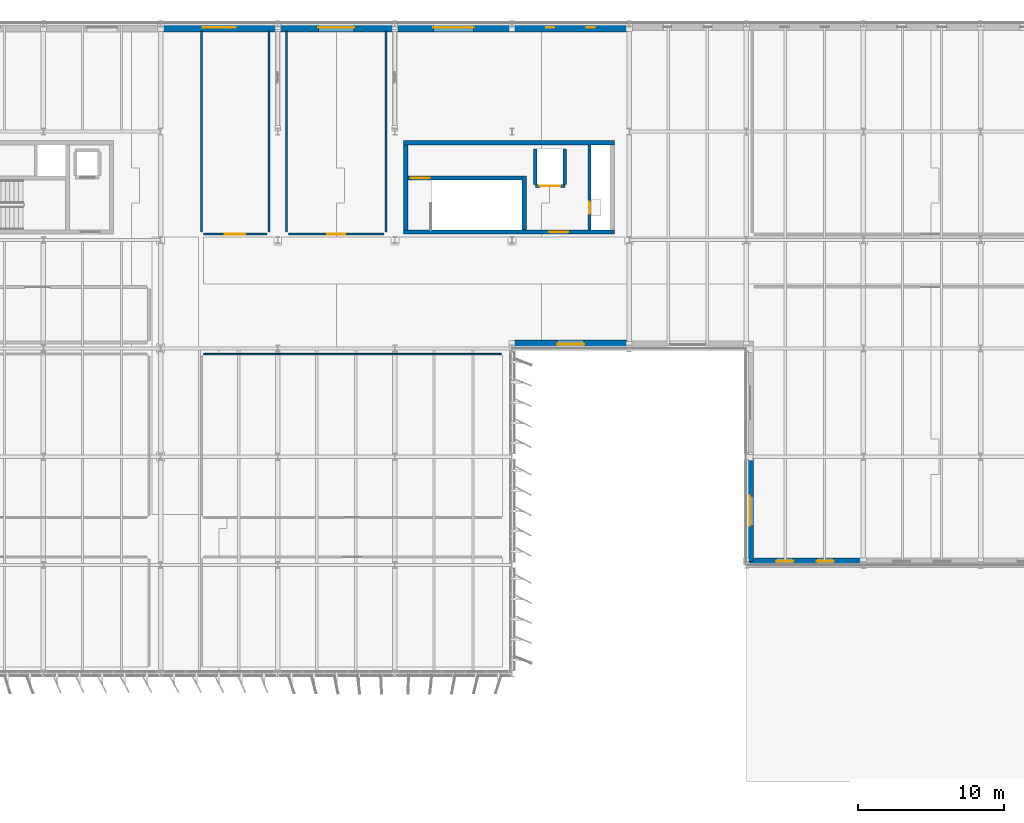
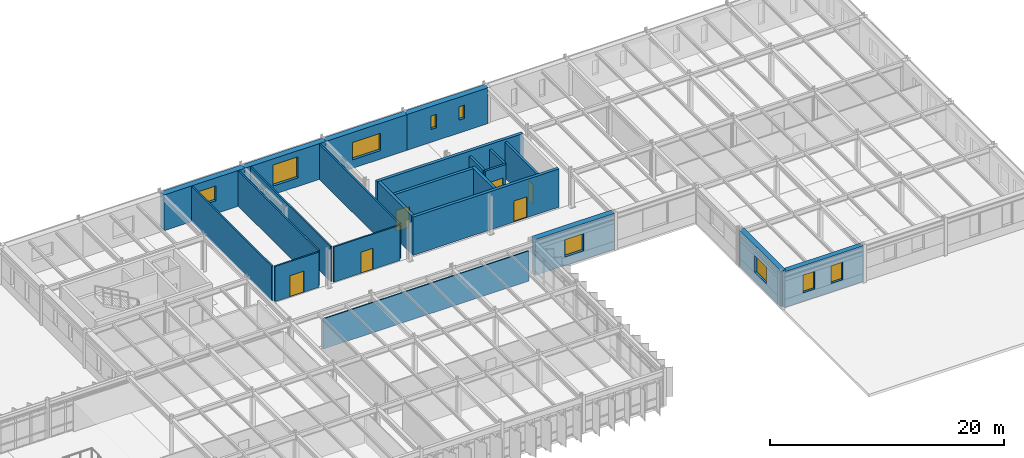
# One storey, part 41 of 56: 23 walls, 9 windows, 6 doors, 15 openings.
"""IFC4 building model written with IfcOpenShell, lengths in metres."""

from ifc_helpers import new_model, si_unit, direction, frame, frame_2d, origin, place, context, subcontext, project, spatial, rectangle, extrude, material, layer, layer_set, type_object, element, fill, save


model = new_model("IFC4")

# Units and contexts
model_context = context("Model", 3, precision=1e-05, world=origin(), true_north=direction((0.0, 1.0)))
body_context = subcontext(model_context, "Body", "Model", "MODEL_VIEW")
ifc_project = project(units=[si_unit("LENGTHUNIT", "METRE"), si_unit("AREAUNIT", "SQUARE_METRE"), si_unit("VOLUMEUNIT", "CUBIC_METRE"), si_unit("PLANEANGLEUNIT", "RADIAN"), si_unit("MASSUNIT", "GRAM", prefix="KILO")], contexts=[model_context])

# Site, building, storey
site_placement = place(None, origin())
site = spatial("IfcSite", under=ifc_project, at=site_placement, CompositionType="ELEMENT")
building_placement = place(site_placement, origin())
building = spatial("IfcBuilding", under=site, at=building_placement, Name="Valkorina Park Police Headquarters", CompositionType="ELEMENT")
storey_placement = place(building_placement, frame((0.0, 0.0, 14.10009765625)))
storey = spatial("IfcBuildingStorey", under=building, at=storey_placement, Name="L04", CompositionType="ELEMENT", Elevation=14.10009765625)

# Wall, opening, door
ifc_material_1 = material(Name="Acoustic mineral board")
ifc_layer_1 = layer(ifc_material_1, 0.14990234375)
ifc_layer_set_1 = layer_set([ifc_layer_1], Name="Acoustic mineral board")
wall_type_1 = type_object("IfcWallType", Name="WL-ACOUST-150-EI30", PredefinedType="PARTITIONING", material=ifc_layer_set_1)
wall_1_placement = place(storey_placement, frame((99.739990234375, 67.0, 0.0), z_axis=(0.0, 0.0, 1.0), x_axis=(1.0, 0.0, 0.0)))
wall_1 = element("IfcWall", 1, at=wall_1_placement, inside=storey, type_object=wall_type_1, Name="L04 Interior Partition 0215 (L04-V2-02)", PredefinedType="PARTITIONING", context=body_context, shape_type="SweptSolid", body=[
    extrude(rectangle(XDim=4.320068359375, YDim=0.14990234375, at=frame_2d((2.16015625, 0.0))), origin(), (0.0, 0.0, 1.0), 3.669921875),
])
opening_1_placement = place(wall_1_placement, frame((1.4599609375, 0.0, 0.0)))
opening_1 = element("IfcOpeningElement", 2, at=opening_1_placement, cuts=wall_1, Name="Opening ID-07", PredefinedType="OPENING", context=body_context, shape_type="SweptSolid", body=[
    extrude(rectangle(XDim=1.39990234375, YDim=2.199951171875, at=frame_2d((0.699951171875, 1.10009765625))), frame((0.0, 0.0849609375, 0.0), z_axis=(0.0, -1.0, 0.0), x_axis=(1.0, 0.0, 0.0)), (0.0, 0.0, 1.0), 0.169921875),
])
ifc_material_2 = material(Name="Thermally broken aluminium AW-6060", Category="aluminium")
ifc_layer_2 = layer(ifc_material_2, 0.050048828125)
ifc_layer_set_2 = layer_set([ifc_layer_2], Name="Thermally broken aluminium AW-6060")
door_type_1 = type_object("IfcDoorType", Name="DR-INT-CONF-1400x2200", OperationType="NOTDEFINED", PredefinedType="DOOR", material=ifc_layer_set_2)
door_1_placement = place(opening_1_placement, origin())
door_1 = element("IfcDoor", 3, at=door_1_placement, inside=storey, type_object=door_type_1, Name="Door D-L04-I101 (L04-V2-02)", OperationType="SINGLE_SWING_RIGHT", OverallHeight=2.199951171875, OverallWidth=1.39990234375, PredefinedType="DOOR", context=body_context, shape_type="SweptSolid", body=[
    extrude(rectangle(XDim=1.39990234375, YDim=2.199951171875, at=frame_2d((0.699951171875, 1.10009765625))), frame((0.0, 0.02490234375, 0.0), z_axis=(0.0, -1.0, 0.0), x_axis=(1.0, 0.0, 0.0)), (0.0, 0.0, 1.0), 0.050048828125),
])
fill(opening_1, door_1)

# Walls
for number, where, z_axis, x_axis, name in (
    (4, (99.60009765625, 67.139892578125, 0.0), (0.0, 0.0, 1.0), (0.0, 1.0, 0.0), "L04 Interior Partition 0216 (L04-V2-02)"),
    (5, (104.199951171875, 67.139892578125, 0.0), (0.0, 0.0, 1.0), (0.0, 1.0, 0.0), "L04 Interior Partition 0217 (L04-V2-02)"),
):
    element("IfcWall", number, at=place(storey_placement, frame(where, z_axis=z_axis, x_axis=x_axis)), inside=storey, type_object=wall_type_1, Name=name, PredefinedType="PARTITIONING", context=body_context, shape_type="SweptSolid", body=[
        extrude(rectangle(XDim=13.72021484375, YDim=0.14990234375, at=frame_2d((6.860107421875, 0.0))), origin(), (0.0, 0.0, 1.0), 3.669921875),
    ])

# Wall, opening, door
wall_2_placement = place(storey_placement, frame((105.5400390625, 67.0, 0.0), z_axis=(0.0, 0.0, 1.0), x_axis=(1.0, 0.0, 0.0)))
wall_2 = element("IfcWall", 6, at=wall_2_placement, inside=storey, type_object=wall_type_1, Name="L04 Interior Partition 0218 (L04-V2-03)", PredefinedType="PARTITIONING", context=body_context, shape_type="SweptSolid", body=[
    extrude(rectangle(XDim=6.52001953125, YDim=0.14990234375, at=frame_2d((3.260009765625, 0.0))), origin(), (0.0, 0.0, 1.0), 3.669921875),
])
opening_2_placement = place(wall_2_placement, frame((2.659912109375, 0.0, 0.0)))
opening_2 = element("IfcOpeningElement", 7, at=opening_2_placement, cuts=wall_2, Name="Opening ID-06", PredefinedType="OPENING", context=body_context, shape_type="SweptSolid", body=[
    extrude(rectangle(XDim=1.199951171875, YDim=2.199951171875, at=frame_2d((0.60009765625, 1.10009765625))), frame((0.0, 0.0849609375, 0.0), z_axis=(0.0, -1.0, 0.0), x_axis=(1.0, 0.0, 0.0)), (0.0, 0.0, 1.0), 0.169921875),
])
ifc_layer_3 = layer(ifc_material_2, 0.050048828125)
ifc_layer_set_3 = layer_set([ifc_layer_3], Name="Thermally broken aluminium AW-6060")
door_type_2 = type_object("IfcDoorType", Name="DR-INT-LAB-1200x2200", OperationType="NOTDEFINED", PredefinedType="DOOR", material=ifc_layer_set_3)
door_2_placement = place(opening_2_placement, origin())
door_2 = element("IfcDoor", 8, at=door_2_placement, inside=storey, type_object=door_type_2, Name="Door D-L04-I102 (L04-V2-03)", OperationType="SINGLE_SWING_LEFT", OverallHeight=2.199951171875, OverallWidth=1.199951171875, PredefinedType="DOOR", context=body_context, shape_type="SweptSolid", body=[
    extrude(rectangle(XDim=1.199951171875, YDim=2.199951171875, at=frame_2d((0.60009765625, 1.10009765625))), frame((0.0, 0.02490234375, 0.0), z_axis=(0.0, -1.0, 0.0), x_axis=(1.0, 0.0, 0.0)), (0.0, 0.0, 1.0), 0.050048828125),
])
fill(opening_2, door_2)

# Walls
for number, where, z_axis, x_axis, name in (
    (9, (105.39990234375, 67.139892578125, 0.0), (0.0, 0.0, 1.0), (0.0, 1.0, 0.0), "L04 Interior Partition 0219 (L04-V2-03)"),
    (10, (112.199951171875, 67.139892578125, 0.0), (0.0, 0.0, 1.0), (0.0, 1.0, 0.0), "L04 Interior Partition 0220 (L04-V2-03)"),
):
    element("IfcWall", number, at=place(storey_placement, frame(where, z_axis=z_axis, x_axis=x_axis)), inside=storey, type_object=wall_type_1, Name=name, PredefinedType="PARTITIONING", context=body_context, shape_type="SweptSolid", body=[
        extrude(rectangle(XDim=13.72021484375, YDim=0.14990234375, at=frame_2d((6.860107421875, 0.0))), origin(), (0.0, 0.0, 1.0), 3.669921875),
    ])

# Wall, opening, door
ifc_material_3 = material(Name="Autoclaved aerated concrete masonry", Category="masonry")
ifc_layer_4 = layer(ifc_material_3, 0.219970703125)
ifc_layer_set_4 = layer_set([ifc_layer_4], Name="Autoclaved aerated concrete masonry")
wall_type_2 = type_object("IfcWallType", Name="WL-CHASE-220-EI60", PredefinedType="PLUMBINGWALL", material=ifc_layer_set_4)
wall_3_placement = place(storey_placement, frame((122.389892578125, 70.2900390625, 0.0), z_axis=(0.0, 0.0, 1.0), x_axis=(1.0, 0.0, 0.0)))
wall_3 = element("IfcWall", 11, at=wall_3_placement, inside=storey, type_object=wall_type_2, Name="Lift LF-07 L04 Shaft Front Wall", PredefinedType="PLUMBINGWALL", context=body_context, shape_type="SweptSolid", body=[
    extrude(rectangle(XDim=2.02001953125, YDim=0.219970703125, at=frame_2d((1.010009765625, 0.0))), origin(), (0.0, 0.0, 1.0), 3.719970703125),
])
opening_3_placement = place(wall_3_placement, frame((0.31005859375, 0.0, 0.0)))
opening_3 = element("IfcOpeningElement", 12, at=opening_3_placement, cuts=wall_3, Name="Opening LD-04", PredefinedType="OPENING", context=body_context, shape_type="SweptSolid", body=[
    extrude(rectangle(XDim=1.39990234375, YDim=2.39990234375, at=frame_2d((0.699951171875, 1.199951171875))), frame((0.0, 0.1201171875, 0.0), z_axis=(0.0, -1.0, 0.0), x_axis=(1.0, 0.0, 0.0)), (0.0, 0.0, 1.0), 0.239990234375),
])
ifc_material_4 = material(Name="Stainless steel EN 1.4404", Category="steel")
ifc_layer_5 = layer(ifc_material_4, 0.050048828125)
ifc_layer_set_5 = layer_set([ifc_layer_5], Name="Stainless steel EN 1.4404")
door_type_3 = type_object("IfcDoorType", Name="DR-LIFT-GOODS-1400x2400", OperationType="NOTDEFINED", PredefinedType="DOOR", material=ifc_layer_set_5)
door_3_placement = place(opening_3_placement, origin())
door_3 = element("IfcDoor", 13, at=door_3_placement, inside=storey, type_object=door_type_3, Name="Lift Landing Door LF-07-L04", OperationType="DOUBLE_DOOR_SLIDING", OverallHeight=2.39990234375, OverallWidth=1.39990234375, PredefinedType="DOOR", context=body_context, shape_type="SweptSolid", body=[
    extrude(rectangle(XDim=1.39990234375, YDim=2.39990234375, at=frame_2d((0.699951171875, 1.199951171875))), frame((0.0, 0.02490234375, 0.0), z_axis=(0.0, -1.0, 0.0), x_axis=(1.0, 0.0, 0.0)), (0.0, 0.0, 1.0), 0.050048828125),
])
fill(opening_3, door_3)

# Walls
for number, where, z_axis, x_axis, name in (
    (14, (122.389892578125, 70.39990234375, 0.0), (0.0, 0.0, 1.0), (0.0, 1.0, 0.0), "Lift LF-07 L04 Shaft Side Wall W"),
    (15, (124.409912109375, 70.39990234375, 0.0), (0.0, 0.0, 1.0), (0.0, 1.0, 0.0), "Lift LF-07 L04 Shaft Side Wall E"),
):
    element("IfcWall", number, at=place(storey_placement, frame(where, z_axis=z_axis, x_axis=x_axis)), inside=storey, type_object=wall_type_2, Name=name, PredefinedType="PLUMBINGWALL", context=body_context, shape_type="SweptSolid", body=[
        extrude(rectangle(XDim=2.400146484375, YDim=0.219970703125, at=frame_2d((1.2001953125, 0.0))), origin(), (0.0, 0.0, 1.0), 3.719970703125),
    ])

# Wall, opening, door
wall_4_placement = place(storey_placement, frame((126.090087890625, 67.300048828125, 0.0), z_axis=(0.0, 0.0, 1.0), x_axis=(0.0, 1.0, 0.0)))
wall_4 = element("IfcWall", 16, at=wall_4_placement, inside=storey, type_object=wall_type_2, Name="Core C5 L04 Riser Shaft West Wall", PredefinedType="PLUMBINGWALL", context=body_context, shape_type="SweptSolid", body=[
    extrude(rectangle(XDim=5.800048828125, YDim=0.219970703125, at=frame_2d((2.89990234375, 0.0))), origin(), (0.0, 0.0, 1.0), 3.719970703125),
])
opening_4_placement = place(wall_4_placement, frame((1.10009765625, 0.0, 0.0)))
opening_4 = element("IfcOpeningElement", 17, at=opening_4_placement, cuts=wall_4, Name="Opening ID-01", PredefinedType="OPENING", context=body_context, shape_type="SweptSolid", body=[
    extrude(rectangle(XDim=0.800048828125, YDim=2.10009765625, at=frame_2d((0.39990234375, 1.050048828125))), frame((0.0, 0.1201171875, 0.0), z_axis=(0.0, -1.0, 0.0), x_axis=(1.0, 0.0, 0.0)), (0.0, 0.0, 1.0), 0.239990234375),
])
ifc_material_5 = material(Name="Galvanized steel door leaf", Category="steel")
ifc_layer_6 = layer(ifc_material_5, 0.050048828125)
ifc_layer_set_6 = layer_set([ifc_layer_6], Name="Galvanized steel door leaf")
door_type_4 = type_object("IfcDoorType", Name="DR-INT-RISER-800x2100", OperationType="NOTDEFINED", PredefinedType="DOOR", material=ifc_layer_set_6)
door_4_placement = place(opening_4_placement, origin())
door_4 = element("IfcDoor", 18, at=door_4_placement, inside=storey, type_object=door_type_4, Name="Riser Shaft Access Door C5-L04", OperationType="SINGLE_SWING_RIGHT", OverallHeight=2.10009765625, OverallWidth=0.800048828125, PredefinedType="DOOR", context=body_context, shape_type="SweptSolid", body=[
    extrude(rectangle(XDim=0.800048828125, YDim=2.10009765625, at=frame_2d((0.39990234375, 1.050048828125))), frame((0.0, 0.02490234375, 0.0), z_axis=(0.0, -1.0, 0.0), x_axis=(1.0, 0.0, 0.0)), (0.0, 0.0, 1.0), 0.050048828125),
])
fill(opening_4, door_4)

ifc_material_6 = material(Name="Concrete C40/50", Category="concrete")
ifc_layer_7 = layer(ifc_material_6, 0.300048828125)
ifc_layer_set_7 = layer_set([ifc_layer_7], Name="Concrete C40/50")
wall_type_3 = type_object("IfcWallType", Name="WL-CORE-300-REI120", PredefinedType="SHEAR", material=ifc_layer_set_7)
wall_5_placement = place(storey_placement, frame((113.39990234375, 67.14990234375, 0.0), z_axis=(0.0, 0.0, 1.0), x_axis=(1.0, 0.0, 0.0)))
wall_5 = element("IfcWall", 19, at=wall_5_placement, inside=storey, type_object=wall_type_3, Name="Core C5 L04 Shear Wall S", PredefinedType="SHEAR", context=body_context, shape_type="SweptSolid", body=[
    extrude(rectangle(XDim=14.400146484375, YDim=0.300048828125, at=frame_2d((7.2001953125, 0.0))), origin(), (0.0, 0.0, 1.0), 3.994873046875),
])
opening_5_placement = place(wall_5_placement, frame((9.949951171875, 0.0, 0.0)))
opening_5 = element("IfcOpeningElement", 20, at=opening_5_placement, cuts=wall_5, Name="Opening FD-03", PredefinedType="OPENING", context=body_context, shape_type="SweptSolid", body=[
    extrude(rectangle(XDim=1.300048828125, YDim=2.199951171875, at=frame_2d((0.64990234375, 1.10009765625))), frame((0.0, 0.16015625, 0.0), z_axis=(0.0, -1.0, 0.0), x_axis=(1.0, 0.0, 0.0)), (0.0, 0.0, 1.0), 0.320068359375),
])
ifc_layer_8 = layer(ifc_material_5, 0.050048828125)
ifc_layer_set_8 = layer_set([ifc_layer_8], Name="Galvanized steel door leaf")
door_type_5 = type_object("IfcDoorType", Name="DR-FIRE-STAIR-1300x2200", OperationType="NOTDEFINED", PredefinedType="DOOR", material=ifc_layer_set_8)
door_5_placement = place(opening_5_placement, origin())
door_5 = element("IfcDoor", 21, at=door_5_placement, inside=storey, type_object=door_type_5, Name="Door D-L04-LBY-C5 (Core C5 Lobby Fire Door)", OperationType="SINGLE_SWING_LEFT", OverallHeight=2.199951171875, OverallWidth=1.300048828125, PredefinedType="DOOR", context=body_context, shape_type="SweptSolid", body=[
    extrude(rectangle(XDim=1.300048828125, YDim=2.199951171875, at=frame_2d((0.64990234375, 1.10009765625))), frame((0.0, 0.02490234375, 0.0), z_axis=(0.0, -1.0, 0.0), x_axis=(1.0, 0.0, 0.0)), (0.0, 0.0, 1.0), 0.050048828125),
])
fill(opening_5, door_5)

# Walls
wall_6_placement = place(storey_placement, frame((113.39990234375, 73.25, 0.0), z_axis=(0.0, 0.0, 1.0), x_axis=(1.0, 0.0, 0.0)))
element("IfcWall", 22, at=wall_6_placement, inside=storey, type_object=wall_type_3, Name="Core C5 L04 Shear Wall N", PredefinedType="SHEAR", context=body_context, shape_type="SweptSolid", body=[
    extrude(rectangle(XDim=14.400146484375, YDim=0.300048828125, at=frame_2d((7.2001953125, 0.0))), origin(), (0.0, 0.0, 1.0), 3.994873046875),
])
wall_7_placement = place(storey_placement, frame((113.550048828125, 67.300048828125, 0.0), z_axis=(0.0, 0.0, 1.0), x_axis=(0.0, 1.0, 0.0)))
element("IfcWall", 23, at=wall_7_placement, inside=storey, type_object=wall_type_3, Name="Core C5 L04 Shear Wall W", PredefinedType="SHEAR", context=body_context, shape_type="SweptSolid", body=[
    extrude(rectangle(XDim=5.800048828125, YDim=0.300048828125, at=frame_2d((2.89990234375, 0.0))), origin(), (0.0, 0.0, 1.0), 3.994873046875),
])

# Wall, opening, window
ifc_material_7 = material(Name="Concrete C35/45", Category="concrete")
ifc_layer_9 = layer(ifc_material_7, 0.580078125)
ifc_layer_set_9 = layer_set([ifc_layer_9], Name="Concrete C35/45")
wall_type_4 = type_object("IfcWallType", Name="WL-EXT-BOARD-580", PredefinedType="STANDARD", material=ifc_layer_set_9)
wall_8_placement = place(storey_placement, frame((96.800048828125, 81.110107421875, 0.0), z_axis=(0.0, 0.0, 1.0), x_axis=(1.0, 0.0, 0.0)))
wall_8 = element("IfcWall", 24, at=wall_8_placement, inside=storey, type_object=wall_type_4, Name="L04 Architectural Concrete Exterior Wall 0240", PredefinedType="STANDARD", context=body_context, shape_type="SweptSolid", body=[
    extrude(rectangle(XDim=8.0, YDim=0.580078125, at=frame_2d((4.0, 0.0))), origin(), (0.0, 0.0, 1.0), 3.739990234375),
])
opening_6_placement = place(wall_8_placement, frame((2.875, 0.0, 1.35009765625)))
opening_6 = element("IfcOpeningElement", 25, at=opening_6_placement, cuts=wall_8, Name="Opening WN-33", PredefinedType="OPENING", context=body_context, shape_type="SweptSolid", body=[
    extrude(rectangle(XDim=2.25, YDim=1.550048828125, at=frame_2d((1.125, 0.77490234375))), frame((0.0, 0.300048828125, 0.0), z_axis=(0.0, -1.0, 0.0), x_axis=(1.0, 0.0, 0.0)), (0.0, 0.0, 1.0), 0.60009765625),
])
ifc_material_8 = material(Name="Triple low-E insulated glazing", Category="glass")
ifc_layer_10 = layer(ifc_material_8, 0.06005859375)
ifc_layer_set_10 = layer_set([ifc_layer_10], Name="Triple low-E insulated glazing")
window_type_1 = type_object("IfcWindowType", Name="WN-GYM-2250x1550", PartitioningType="SINGLE_PANEL", PredefinedType="WINDOW", material=ifc_layer_set_10)
window_1_placement = place(opening_6_placement, origin())
window_1 = element("IfcWindow", 26, at=window_1_placement, inside=storey, type_object=window_type_1, Name="Window L04-0407", OverallHeight=1.550048828125, OverallWidth=2.25, PartitioningType="SINGLE_PANEL", PredefinedType="WINDOW", context=body_context, shape_type="SweptSolid", body=[
    extrude(rectangle(XDim=2.25, YDim=1.550048828125, at=frame_2d((1.125, 0.77490234375))), frame((0.0, 0.030029296875, 0.0), z_axis=(0.0, -1.0, 0.0), x_axis=(1.0, 0.0, 0.0)), (0.0, 0.0, 1.0), 0.06005859375),
])
fill(opening_6, window_1)

wall_9_placement = place(storey_placement, frame((104.800048828125, 81.110107421875, 0.0), z_axis=(0.0, 0.0, 1.0), x_axis=(1.0, 0.0, 0.0)))
wall_9 = element("IfcWall", 27, at=wall_9_placement, inside=storey, type_object=wall_type_4, Name="L04 Architectural Concrete Exterior Wall 0241", PredefinedType="STANDARD", context=body_context, shape_type="SweptSolid", body=[
    extrude(rectangle(XDim=8.0, YDim=0.580078125, at=frame_2d((4.0, 0.0))), origin(), (0.0, 0.0, 1.0), 3.739990234375),
])
opening_7_placement = place(wall_9_placement, frame((2.77490234375, 0.0, 0.89990234375)))
opening_7 = element("IfcOpeningElement", 28, at=opening_7_placement, cuts=wall_9, Name="Opening WN-34", PredefinedType="OPENING", context=body_context, shape_type="SweptSolid", body=[
    extrude(rectangle(XDim=2.449951171875, YDim=2.199951171875, at=frame_2d((1.22509765625, 1.10009765625))), frame((0.0, 0.300048828125, 0.0), z_axis=(0.0, -1.0, 0.0), x_axis=(1.0, 0.0, 0.0)), (0.0, 0.0, 1.0), 0.60009765625),
])
ifc_layer_11 = layer(ifc_material_8, 0.06005859375)
ifc_layer_set_11 = layer_set([ifc_layer_11], Name="Triple low-E insulated glazing")
window_type_2 = type_object("IfcWindowType", Name="WN-HALL-2450x2200", PartitioningType="SINGLE_PANEL", PredefinedType="WINDOW", material=ifc_layer_set_11)
window_2_placement = place(opening_7_placement, origin())
window_2 = element("IfcWindow", 29, at=window_2_placement, inside=storey, type_object=window_type_2, Name="Window L04-0408", OverallHeight=2.199951171875, OverallWidth=2.449951171875, PartitioningType="SINGLE_PANEL", PredefinedType="WINDOW", context=body_context, shape_type="SweptSolid", body=[
    extrude(rectangle(XDim=2.449951171875, YDim=2.199951171875, at=frame_2d((1.22509765625, 1.10009765625))), frame((0.0, 0.030029296875, 0.0), z_axis=(0.0, -1.0, 0.0), x_axis=(1.0, 0.0, 0.0)), (0.0, 0.0, 1.0), 0.06005859375),
])
fill(opening_7, window_2)

wall_10_placement = place(storey_placement, frame((112.800048828125, 81.110107421875, 0.0), z_axis=(0.0, 0.0, 1.0), x_axis=(1.0, 0.0, 0.0)))
wall_10 = element("IfcWall", 30, at=wall_10_placement, inside=storey, type_object=wall_type_4, Name="L04 Architectural Concrete Exterior Wall 0242", PredefinedType="STANDARD", context=body_context, shape_type="SweptSolid", body=[
    extrude(rectangle(XDim=8.0, YDim=0.580078125, at=frame_2d((4.0, 0.0))), origin(), (0.0, 0.0, 1.0), 3.739990234375),
])
opening_8_placement = place(wall_10_placement, frame((2.625, 0.0, 0.89990234375)))
opening_8 = element("IfcOpeningElement", 31, at=opening_8_placement, cuts=wall_10, Name="Opening WN-36", PredefinedType="OPENING", context=body_context, shape_type="SweptSolid", body=[
    extrude(rectangle(XDim=2.75, YDim=1.800048828125, at=frame_2d((1.375, 0.89990234375))), frame((0.0, 0.300048828125, 0.0), z_axis=(0.0, -1.0, 0.0), x_axis=(1.0, 0.0, 0.0)), (0.0, 0.0, 1.0), 0.60009765625),
])
ifc_layer_12 = layer(ifc_material_8, 0.06005859375)
ifc_layer_set_12 = layer_set([ifc_layer_12], Name="Triple low-E insulated glazing")
window_type_3 = type_object("IfcWindowType", Name="WN-CMD-2750x1800", PartitioningType="SINGLE_PANEL", PredefinedType="WINDOW", material=ifc_layer_set_12)
window_3_placement = place(opening_8_placement, origin())
window_3 = element("IfcWindow", 32, at=window_3_placement, inside=storey, type_object=window_type_3, Name="Window L04-0409", OverallHeight=1.800048828125, OverallWidth=2.75, PartitioningType="SINGLE_PANEL", PredefinedType="WINDOW", context=body_context, shape_type="SweptSolid", body=[
    extrude(rectangle(XDim=2.75, YDim=1.800048828125, at=frame_2d((1.375, 0.89990234375))), frame((0.0, 0.030029296875, 0.0), z_axis=(0.0, -1.0, 0.0), x_axis=(1.0, 0.0, 0.0)), (0.0, 0.0, 1.0), 0.06005859375),
])
fill(opening_8, window_3)

# Wall, openings, windows
wall_11_placement = place(storey_placement, frame((120.800048828125, 81.110107421875, 0.0), z_axis=(0.0, 0.0, 1.0), x_axis=(1.0, 0.0, 0.0)))
wall_11 = element("IfcWall", 33, at=wall_11_placement, inside=storey, type_object=wall_type_4, Name="L04 Architectural Concrete Exterior Wall 0243", PredefinedType="STANDARD", context=body_context, shape_type="SweptSolid", body=[
    extrude(rectangle(XDim=8.0, YDim=0.580078125, at=frame_2d((4.0, 0.0))), origin(), (0.0, 0.0, 1.0), 3.739990234375),
])
opening_9_placement = place(wall_11_placement, frame((2.342529296875, 0.0, 1.35009765625)))
opening_9 = element("IfcOpeningElement", 34, at=opening_9_placement, cuts=wall_11, Name="Opening WN-01", PredefinedType="OPENING", context=body_context, shape_type="SweptSolid", body=[
    extrude(rectangle(XDim=0.550048828125, YDim=1.39990234375, at=frame_2d((0.27490234375, 0.699951171875))), frame((0.0, 0.300048828125, 0.0), z_axis=(0.0, -1.0, 0.0), x_axis=(1.0, 0.0, 0.0)), (0.0, 0.0, 1.0), 0.60009765625),
])
opening_10_placement = place(wall_11_placement, frame((5.107421875, 0.0, 1.35009765625)))
opening_10 = element("IfcOpeningElement", 35, at=opening_10_placement, cuts=wall_11, Name="Opening WN-01", PredefinedType="OPENING", context=body_context, shape_type="SweptSolid", body=[
    extrude(rectangle(XDim=0.550048828125, YDim=1.39990234375, at=frame_2d((0.27490234375, 0.699951171875))), frame((0.0, 0.300048828125, 0.0), z_axis=(0.0, -1.0, 0.0), x_axis=(1.0, 0.0, 0.0)), (0.0, 0.0, 1.0), 0.60009765625),
])
ifc_layer_13 = layer(ifc_material_8, 0.06005859375)
ifc_layer_set_13 = layer_set([ifc_layer_13], Name="Triple low-E insulated glazing")
window_type_4 = type_object("IfcWindowType", Name="WN-SLOT-550x1400", PartitioningType="SINGLE_PANEL", PredefinedType="WINDOW", material=ifc_layer_set_13)
window_4_placement = place(opening_9_placement, origin())
window_4 = element("IfcWindow", 36, at=window_4_placement, inside=storey, type_object=window_type_4, Name="Window L04-0410", OverallHeight=1.39990234375, OverallWidth=0.550048828125, PartitioningType="SINGLE_PANEL", PredefinedType="WINDOW", context=body_context, shape_type="SweptSolid", body=[
    extrude(rectangle(XDim=0.550048828125, YDim=1.39990234375, at=frame_2d((0.27490234375, 0.699951171875))), frame((0.0, 0.030029296875, 0.0), z_axis=(0.0, -1.0, 0.0), x_axis=(1.0, 0.0, 0.0)), (0.0, 0.0, 1.0), 0.06005859375),
])
fill(opening_9, window_4)
window_5_placement = place(opening_10_placement, origin())
window_5 = element("IfcWindow", 37, at=window_5_placement, inside=storey, type_object=window_type_4, Name="Window L04-0411", OverallHeight=1.39990234375, OverallWidth=0.550048828125, PartitioningType="SINGLE_PANEL", PredefinedType="WINDOW", context=body_context, shape_type="SweptSolid", body=[
    extrude(rectangle(XDim=0.550048828125, YDim=1.39990234375, at=frame_2d((0.27490234375, 0.699951171875))), frame((0.0, 0.030029296875, 0.0), z_axis=(0.0, -1.0, 0.0), x_axis=(1.0, 0.0, 0.0)), (0.0, 0.0, 1.0), 0.06005859375),
])
fill(opening_10, window_5)

# Wall, opening, window
wall_12_placement = place(storey_placement, frame((128.800048828125, 59.489990234375, 0.0), z_axis=(0.0, 0.0, 1.0), x_axis=(-1.0, 0.0, 0.0)))
wall_12 = element("IfcWall", 38, at=wall_12_placement, inside=storey, type_object=wall_type_4, Name="L04 Architectural Concrete Exterior Wall 0259", PredefinedType="STANDARD", context=body_context, shape_type="SweptSolid", body=[
    extrude(rectangle(XDim=7.840087890625, YDim=0.580078125, at=frame_2d((3.919921875, 0.0))), origin(), (0.0, 0.0, 1.0), 3.739990234375),
])
opening_11_placement = place(wall_12_placement, frame((3.074951171875, 0.0, 0.89990234375)))
opening_11 = element("IfcOpeningElement", 39, at=opening_11_placement, cuts=wall_12, Name="Opening WN-29", PredefinedType="OPENING", context=body_context, shape_type="SweptSolid", body=[
    extrude(rectangle(XDim=1.85009765625, YDim=1.800048828125, at=frame_2d((0.925048828125, 0.89990234375))), frame((0.0, 0.300048828125, 0.0), z_axis=(0.0, -1.0, 0.0), x_axis=(1.0, 0.0, 0.0)), (0.0, 0.0, 1.0), 0.60009765625),
])
ifc_layer_14 = layer(ifc_material_8, 0.06005859375)
ifc_layer_set_14 = layer_set([ifc_layer_14], Name="Triple low-E insulated glazing")
window_type_5 = type_object("IfcWindowType", Name="WN-OFF-1850x1800", PartitioningType="SINGLE_PANEL", PredefinedType="WINDOW", material=ifc_layer_set_14)
window_6_placement = place(opening_11_placement, origin())
window_6 = element("IfcWindow", 40, at=window_6_placement, inside=storey, type_object=window_type_5, Name="Window L04-0439", OverallHeight=1.800048828125, OverallWidth=1.85009765625, PartitioningType="SINGLE_PANEL", PredefinedType="WINDOW", context=body_context, shape_type="SweptSolid", body=[
    extrude(rectangle(XDim=1.85009765625, YDim=1.800048828125, at=frame_2d((0.925048828125, 0.89990234375))), frame((0.0, 0.030029296875, 0.0), z_axis=(0.0, -1.0, 0.0), x_axis=(1.0, 0.0, 0.0)), (0.0, 0.0, 1.0), 0.06005859375),
])
fill(opening_11, window_6)

# Wall, openings, windows
ifc_material_9 = material(Name="Precast concrete C40/50", Category="concrete")
ifc_layer_15 = layer(ifc_material_9, 0.5)
ifc_layer_set_15 = layer_set([ifc_layer_15], Name="Precast concrete C40/50")
wall_type_5 = type_object("IfcWallType", Name="WL-EXT-SPANDREL-500", PredefinedType="STANDARD", material=ifc_layer_set_15)
wall_13_placement = place(storey_placement, frame((144.800048828125, 44.64990234375, 0.0), z_axis=(0.0, 0.0, 1.0), x_axis=(-1.0, 0.0, 0.0)))
wall_13 = element("IfcWall", 41, at=wall_13_placement, inside=storey, type_object=wall_type_5, Name="L04 Architectural Concrete Exterior Wall 0255", PredefinedType="STANDARD", context=body_context, shape_type="SweptSolid", body=[
    extrude(rectangle(XDim=7.840087890625, YDim=0.5, at=frame_2d((3.919921875, 0.0))), origin(), (0.0, 0.0, 1.0), 3.719970703125),
])
opening_12_placement = place(wall_13_placement, frame((2.04248046875, 0.0, 0.89990234375)))
opening_12 = element("IfcOpeningElement", 42, at=opening_12_placement, cuts=wall_13, Name="Opening WN-20", PredefinedType="OPENING", context=body_context, shape_type="SweptSolid", body=[
    extrude(rectangle(XDim=1.14990234375, YDim=1.85009765625, at=frame_2d((0.574951171875, 0.925048828125))), frame((0.0, 0.260009765625, 0.0), z_axis=(0.0, -1.0, 0.0), x_axis=(1.0, 0.0, 0.0)), (0.0, 0.0, 1.0), 0.52001953125),
])
opening_13_placement = place(wall_13_placement, frame((4.807373046875, 0.0, 0.89990234375)))
opening_13 = element("IfcOpeningElement", 43, at=opening_13_placement, cuts=wall_13, Name="Opening WN-20", PredefinedType="OPENING", context=body_context, shape_type="SweptSolid", body=[
    extrude(rectangle(XDim=1.14990234375, YDim=1.85009765625, at=frame_2d((0.574951171875, 0.925048828125))), frame((0.0, 0.260009765625, 0.0), z_axis=(0.0, -1.0, 0.0), x_axis=(1.0, 0.0, 0.0)), (0.0, 0.0, 1.0), 0.52001953125),
])
ifc_layer_16 = layer(ifc_material_8, 0.06005859375)
ifc_layer_set_16 = layer_set([ifc_layer_16], Name="Triple low-E insulated glazing")
window_type_6 = type_object("IfcWindowType", Name="WN-LAB-1150x1850", PartitioningType="SINGLE_PANEL", PredefinedType="WINDOW", material=ifc_layer_set_16)
window_7_placement = place(opening_12_placement, origin())
window_7 = element("IfcWindow", 44, at=window_7_placement, inside=storey, type_object=window_type_6, Name="Window L04-0434", OverallHeight=1.85009765625, OverallWidth=1.14990234375, PartitioningType="SINGLE_PANEL", PredefinedType="WINDOW", context=body_context, shape_type="SweptSolid", body=[
    extrude(rectangle(XDim=1.14990234375, YDim=1.85009765625, at=frame_2d((0.574951171875, 0.925048828125))), frame((0.0, 0.030029296875, 0.0), z_axis=(0.0, -1.0, 0.0), x_axis=(1.0, 0.0, 0.0)), (0.0, 0.0, 1.0), 0.06005859375),
])
fill(opening_12, window_7)
window_8_placement = place(opening_13_placement, origin())
window_8 = element("IfcWindow", 45, at=window_8_placement, inside=storey, type_object=window_type_6, Name="Window L04-0435", OverallHeight=1.85009765625, OverallWidth=1.14990234375, PartitioningType="SINGLE_PANEL", PredefinedType="WINDOW", context=body_context, shape_type="SweptSolid", body=[
    extrude(rectangle(XDim=1.14990234375, YDim=1.85009765625, at=frame_2d((0.574951171875, 0.925048828125))), frame((0.0, 0.030029296875, 0.0), z_axis=(0.0, -1.0, 0.0), x_axis=(1.0, 0.0, 0.0)), (0.0, 0.0, 1.0), 0.06005859375),
])
fill(opening_13, window_8)

# Wall, opening, window
wall_14_placement = place(storey_placement, frame((137.050048828125, 44.635009765625, 0.0), z_axis=(0.0, 0.0, 1.0), x_axis=(0.0, 1.0, 0.0)))
wall_14 = element("IfcWall", 46, at=wall_14_placement, inside=storey, type_object=wall_type_5, Name="L04 Architectural Concrete Exterior Wall 0256", PredefinedType="STANDARD", context=body_context, shape_type="SweptSolid", body=[
    extrude(rectangle(XDim=7.1650390625, YDim=0.5, at=frame_2d((3.58251953125, 0.0))), origin(), (0.0, 0.0, 1.0), 3.719970703125),
])
opening_14_placement = place(wall_14_placement, frame((2.43994140625, 0.0, 0.89990234375)))
opening_14 = element("IfcOpeningElement", 47, at=opening_14_placement, cuts=wall_14, Name="Opening WN-32", PredefinedType="OPENING", context=body_context, shape_type="SweptSolid", body=[
    extrude(rectangle(XDim=2.050048828125, YDim=1.75, at=frame_2d((1.02490234375, 0.875))), frame((0.0, 0.260009765625, 0.0), z_axis=(0.0, -1.0, 0.0), x_axis=(1.0, 0.0, 0.0)), (0.0, 0.0, 1.0), 0.52001953125),
])
ifc_layer_17 = layer(ifc_material_8, 0.06005859375)
ifc_layer_set_17 = layer_set([ifc_layer_17], Name="Triple low-E insulated glazing")
window_type_7 = type_object("IfcWindowType", Name="WN-GYM-2050x1750", PartitioningType="SINGLE_PANEL", PredefinedType="WINDOW", material=ifc_layer_set_17)
window_9_placement = place(opening_14_placement, origin())
window_9 = element("IfcWindow", 48, at=window_9_placement, inside=storey, type_object=window_type_7, Name="Window L04-0436", OverallHeight=1.75, OverallWidth=2.050048828125, PartitioningType="SINGLE_PANEL", PredefinedType="WINDOW", context=body_context, shape_type="SweptSolid", body=[
    extrude(rectangle(XDim=2.050048828125, YDim=1.75, at=frame_2d((1.02490234375, 0.875))), frame((0.0, 0.030029296875, 0.0), z_axis=(0.0, -1.0, 0.0), x_axis=(1.0, 0.0, 0.0)), (0.0, 0.0, 1.0), 0.06005859375),
])
fill(opening_14, window_9)

# Walls
ifc_material_10 = material(Name="Gypsum plasterboard")
ifc_layer_18 = layer(ifc_material_10, 0.10009765625)
ifc_layer_set_18 = layer_set([ifc_layer_18], Name="Gypsum plasterboard")
wall_type_6 = type_object("IfcWallType", Name="WL-PART-100", PredefinedType="PARTITIONING", material=ifc_layer_set_18)
wall_15_placement = place(storey_placement, frame((99.739990234375, 58.800048828125, 0.0), z_axis=(0.0, 0.0, 1.0), x_axis=(1.0, 0.0, 0.0)))
element("IfcWall", 49, at=wall_15_placement, inside=storey, type_object=wall_type_6, Name="L04 Interior Partition 0210 (L04-V5-08)", PredefinedType="PARTITIONING", context=body_context, shape_type="SweptSolid", body=[
    extrude(rectangle(XDim=20.320068359375, YDim=0.10009765625, at=frame_2d((10.16015625, 0.0))), origin(), (0.0, 0.0, 1.0), 3.159912109375),
])
ifc_layer_19 = layer(ifc_material_6, 0.280029296875)
ifc_layer_set_19 = layer_set([ifc_layer_19], Name="Concrete C40/50")
wall_type_7 = type_object("IfcWallType", Name="WL-STAIR-280-REI120", PredefinedType="SHEAR", material=ifc_layer_set_19)
wall_16_placement = place(storey_placement, frame((121.639892578125, 67.300048828125, 0.0), z_axis=(0.0, 0.0, 1.0), x_axis=(0.0, 1.0, 0.0)))
element("IfcWall", 50, at=wall_16_placement, inside=storey, type_object=wall_type_7, Name="Core C5 L04 Shear Wall DIV", PredefinedType="SHEAR", context=body_context, shape_type="SweptSolid", body=[
    extrude(rectangle(XDim=3.679931640625, YDim=0.280029296875, at=frame_2d((1.83984375, 0.0))), origin(), (0.0, 0.0, 1.0), 3.994873046875),
])

# Wall, opening, door
wall_17_placement = place(storey_placement, frame((113.699951171875, 70.840087890625, 0.0), z_axis=(0.0, 0.0, 1.0), x_axis=(1.0, 0.0, 0.0)))
wall_17 = element("IfcWall", 51, at=wall_17_placement, inside=storey, type_object=wall_type_7, Name="Core C5 L04 Shear Wall SIDE", PredefinedType="SHEAR", context=body_context, shape_type="SweptSolid", body=[
    extrude(rectangle(XDim=7.800048828125, YDim=0.280029296875, at=frame_2d((3.89990234375, 0.0))), origin(), (0.0, 0.0, 1.0), 3.994873046875),
])
opening_15_placement = place(wall_17_placement, frame((0.199951171875, 0.0, 0.0)))
opening_15 = element("IfcOpeningElement", 52, at=opening_15_placement, cuts=wall_17, Name="Opening FD-03", PredefinedType="OPENING", context=body_context, shape_type="SweptSolid", body=[
    extrude(rectangle(XDim=1.300048828125, YDim=2.199951171875, at=frame_2d((0.64990234375, 1.10009765625))), frame((0.0, 0.14990234375, 0.0), z_axis=(0.0, -1.0, 0.0), x_axis=(1.0, 0.0, 0.0)), (0.0, 0.0, 1.0), 0.300048828125),
])
door_6_placement = place(opening_15_placement, origin())
door_6 = element("IfcDoor", 53, at=door_6_placement, inside=storey, type_object=door_type_5, Name="Door D-L04-C155 (ST-05 Stair Fire Door)", OperationType="SINGLE_SWING_RIGHT", OverallHeight=2.199951171875, OverallWidth=1.300048828125, PredefinedType="DOOR", context=body_context, shape_type="SweptSolid", body=[
    extrude(rectangle(XDim=1.300048828125, YDim=2.199951171875, at=frame_2d((0.64990234375, 1.10009765625))), frame((0.0, 0.02490234375, 0.0), z_axis=(0.0, -1.0, 0.0), x_axis=(1.0, 0.0, 0.0)), (0.0, 0.0, 1.0), 0.050048828125),
])
fill(opening_15, door_6)

save(model, "model.ifc")
